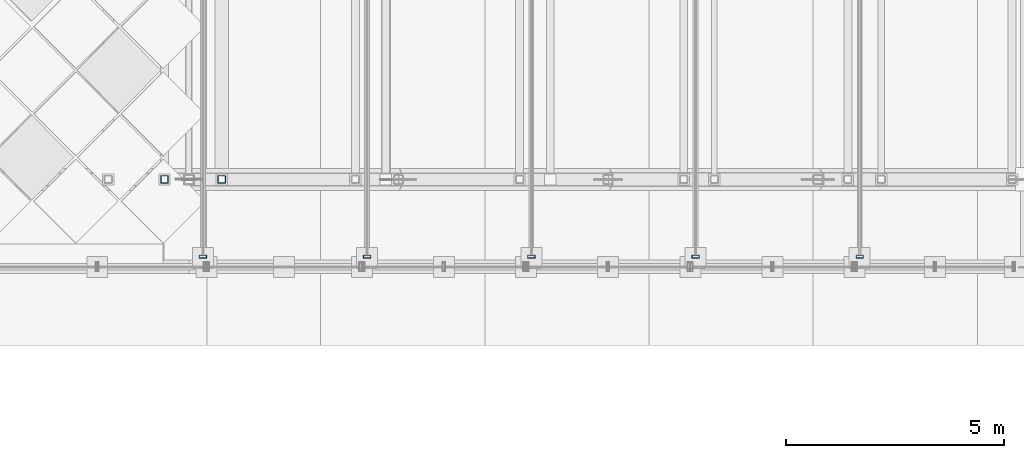
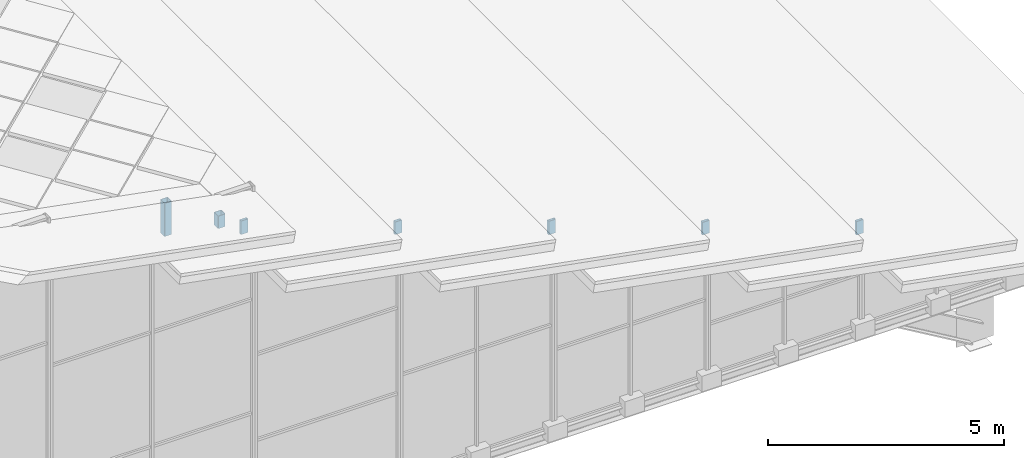
# One storey, part 53 of 117: 7 members, 5 elements without a shape of their own.
"""IFC4 building model written with IfcOpenShell, lengths in metres."""

from ifc_helpers import new_model, si_unit, direction, frame, origin, origin_2d, place, context, subcontext, project, spatial, hollow_rectangle, extrude, material, material_profile, profile_set, type_object, element, aggregate, save


model = new_model("IFC4")

# Units and contexts
model_context = context("Model", 3, precision=1e-05, world=origin(), true_north=direction((0.0, 1.0)))
body_context = subcontext(model_context, "Body", "Model", "MODEL_VIEW")
ifc_project = project(units=[si_unit("LENGTHUNIT", "METRE"), si_unit("AREAUNIT", "SQUARE_METRE"), si_unit("VOLUMEUNIT", "CUBIC_METRE"), si_unit("PLANEANGLEUNIT", "RADIAN"), si_unit("MASSUNIT", "GRAM", prefix="KILO")], contexts=[model_context])

# Site, building, storey
site_placement = place(None, origin())
site = spatial("IfcSite", under=ifc_project, at=site_placement, CompositionType="ELEMENT")
building_placement = place(site_placement, origin())
building = spatial("IfcBuilding", under=site, at=building_placement, Name="Merenkruunu Market Hall", CompositionType="ELEMENT")
storey_placement = place(building_placement, frame((0.0, 0.0, 22.800048828125)))
storey = spatial("IfcBuildingStorey", under=building, at=storey_placement, Name="RF", CompositionType="ELEMENT", Elevation=22.800048828125)

# Curtain wall, member
ifc_material_1 = material(Name="Powder-coated aluminium", Category="aluminium")
curtain_wall_type = type_object("IfcCurtainWallType", Name="Clerestory Curtain Band CL05", PredefinedType="USERDEFINED", material=ifc_material_1)
curtain_wall_1_placement = place(storey_placement, origin())
curtain_wall_1 = element("IfcCurtainWall", 1, at=curtain_wall_1_placement, inside=storey, type_object=curtain_wall_type, Name="CW-RF-CWM04-082", ObjectType="CLERESTORY_BAND", PredefinedType="USERDEFINED")
ifc_material_profile_1 = material_profile(ifc_material_1, hollow_rectangle(XDim=0.070068359375, YDim=0.169921875, WallThickness=0.0048828125, at=origin_2d()), Name="ALU 70x170x5")
ifc_profile_set_1 = profile_set([ifc_material_profile_1], Name="Powder-coated aluminium")
member_type_1 = type_object("IfcMemberType", Name="Curtain Wall Mullion CWM04", PredefinedType="MULLION", material=ifc_profile_set_1)
member_1_placement = place(storey_placement, frame((53.760009765625, 15.8349609375, -6.52197265625), z_axis=(0.0, 0.0, 1.0), x_axis=(0.0, -1.0, 0.0)))
member_1 = element("IfcMember", 2, at=member_1_placement, type_object=member_type_1, Name="CL05 mullion 5", PredefinedType="MULLION", context=body_context, shape_type="SweptSolid", body=[
    extrude(hollow_rectangle(XDim=0.070068359375, YDim=0.169921875, WallThickness=0.0048828125, at=origin_2d()), origin(), (0.0, 0.0, 1.0), 0.347900390625),
])
aggregate(curtain_wall_1, [member_1])

curtain_wall_2_placement = place(storey_placement, origin())
curtain_wall_2 = element("IfcCurtainWall", 3, at=curtain_wall_2_placement, inside=storey, type_object=curtain_wall_type, Name="CW-RF-CWM04-090", ObjectType="CLERESTORY_BAND", PredefinedType="USERDEFINED")
member_2_placement = place(storey_placement, frame((50.0, 15.8349609375, -5.2021484375), z_axis=(0.0, 0.0, 1.0), x_axis=(0.0, -1.0, 0.0)))
member_2 = element("IfcMember", 4, at=member_2_placement, type_object=member_type_1, Name="CL05 mullion 5", PredefinedType="MULLION", context=body_context, shape_type="SweptSolid", body=[
    extrude(hollow_rectangle(XDim=0.070068359375, YDim=0.169921875, WallThickness=0.0048828125, at=origin_2d()), origin(), (0.0, 0.0, 1.0), 0.3271484375),
])
aggregate(curtain_wall_2, [member_2])

curtain_wall_3_placement = place(storey_placement, origin())
curtain_wall_3 = element("IfcCurtainWall", 5, at=curtain_wall_3_placement, inside=storey, type_object=curtain_wall_type, Name="CW-RF-CWM04-098", ObjectType="CLERESTORY_BAND", PredefinedType="USERDEFINED")
member_3_placement = place(storey_placement, frame((46.239990234375, 15.8349609375, -3.882080078125), z_axis=(0.0, 0.0, 1.0), x_axis=(0.0, -1.0, 0.0)))
member_3 = element("IfcMember", 6, at=member_3_placement, type_object=member_type_1, Name="CL05 mullion 5", PredefinedType="MULLION", context=body_context, shape_type="SweptSolid", body=[
    extrude(hollow_rectangle(XDim=0.070068359375, YDim=0.169921875, WallThickness=0.0048828125, at=origin_2d()), origin(), (0.0, 0.0, 1.0), 0.34814453125),
])
aggregate(curtain_wall_3, [member_3])

curtain_wall_4_placement = place(storey_placement, origin())
curtain_wall_4 = element("IfcCurtainWall", 7, at=curtain_wall_4_placement, inside=storey, type_object=curtain_wall_type, Name="CW-RF-CWM04-106", ObjectType="CLERESTORY_BAND", PredefinedType="USERDEFINED")
member_4_placement = place(storey_placement, frame((42.47998046875, 15.8349609375, -2.56201171875), z_axis=(0.0, 0.0, 1.0), x_axis=(0.0, -1.0, 0.0)))
member_4 = element("IfcMember", 8, at=member_4_placement, type_object=member_type_1, Name="CL05 mullion 5", PredefinedType="MULLION", context=body_context, shape_type="SweptSolid", body=[
    extrude(hollow_rectangle(XDim=0.070068359375, YDim=0.169921875, WallThickness=0.0048828125, at=origin_2d()), origin(), (0.0, 0.0, 1.0), 0.326904296875),
])
aggregate(curtain_wall_4, [member_4])

curtain_wall_5_placement = place(storey_placement, origin())
curtain_wall_5 = element("IfcCurtainWall", 9, at=curtain_wall_5_placement, inside=storey, type_object=curtain_wall_type, Name="CW-RF-CWM04-114", ObjectType="CLERESTORY_BAND", PredefinedType="USERDEFINED")
member_5_placement = place(storey_placement, frame((38.719970703125, 15.8349609375, -1.241943359375), z_axis=(0.0, 0.0, 1.0), x_axis=(0.0, -1.0, 0.0)))
member_5 = element("IfcMember", 10, at=member_5_placement, type_object=member_type_1, Name="CL05 mullion 5", PredefinedType="MULLION", context=body_context, shape_type="SweptSolid", body=[
    extrude(hollow_rectangle(XDim=0.070068359375, YDim=0.169921875, WallThickness=0.0048828125, at=origin_2d()), origin(), (0.0, 0.0, 1.0), 0.347900390625),
])
aggregate(curtain_wall_5, [member_5])

# Members
ifc_material_2 = material(Name="Steel S355J2", Category="steel")
ifc_material_profile_2 = material_profile(ifc_material_2, hollow_rectangle(XDim=0.179931640625, YDim=0.179931640625, WallThickness=0.010009765625, InnerFilletRadius=0.010009765625, OuterFilletRadius=0.02001953125, at=origin_2d()), Name="SHS 180x180x10")
ifc_profile_set_2 = profile_set([ifc_material_profile_2], Name="Steel S355J2")
member_type_2 = type_object("IfcMemberType", Name="Diagonal Sway Brace BR05", PredefinedType="BRACE", material=ifc_profile_set_2)
member_6_placement = place(storey_placement, frame((39.14990234375, 17.60009765625, -2.276123046875), z_axis=(0.0, 0.0, 1.0), x_axis=(1.0, 0.0, 0.0)))
element("IfcMember", 11, at=member_6_placement, inside=storey, type_object=member_type_2, Name="TRUSS-AT-1-RISER-E5-2", PredefinedType="BRACE", context=body_context, shape_type="SweptSolid", body=[
    extrude(hollow_rectangle(XDim=0.179931640625, YDim=0.179931640625, WallThickness=0.010009765625, InnerFilletRadius=0.010009765625, OuterFilletRadius=0.02001953125, at=origin_2d()), origin(), (0.0, 0.0, 1.0), 0.32373046875),
])
member_7_placement = place(storey_placement, frame((37.840087890625, 17.60009765625, -2.02001953125), z_axis=(0.0, 0.0, 1.0), x_axis=(1.0, 0.0, 0.0)))
element("IfcMember", 12, at=member_7_placement, inside=storey, type_object=member_type_2, Name="TRUSS-AT-1-RISER-E6-1", PredefinedType="BRACE", context=body_context, shape_type="SweptSolid", body=[
    extrude(hollow_rectangle(XDim=0.179931640625, YDim=0.179931640625, WallThickness=0.010009765625, InnerFilletRadius=0.010009765625, OuterFilletRadius=0.02001953125, at=origin_2d()), origin(), (0.0, 0.0, 1.0), 0.85498046875),
])

save(model, "model.ifc")
